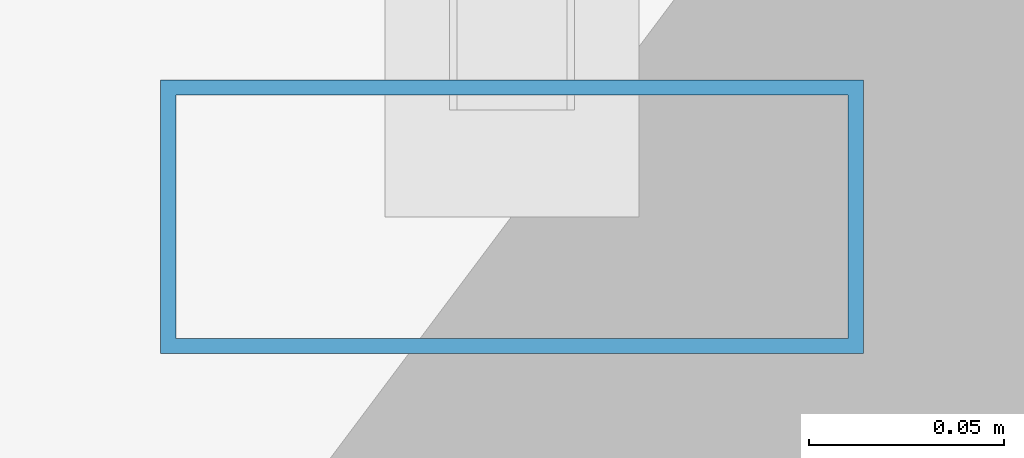
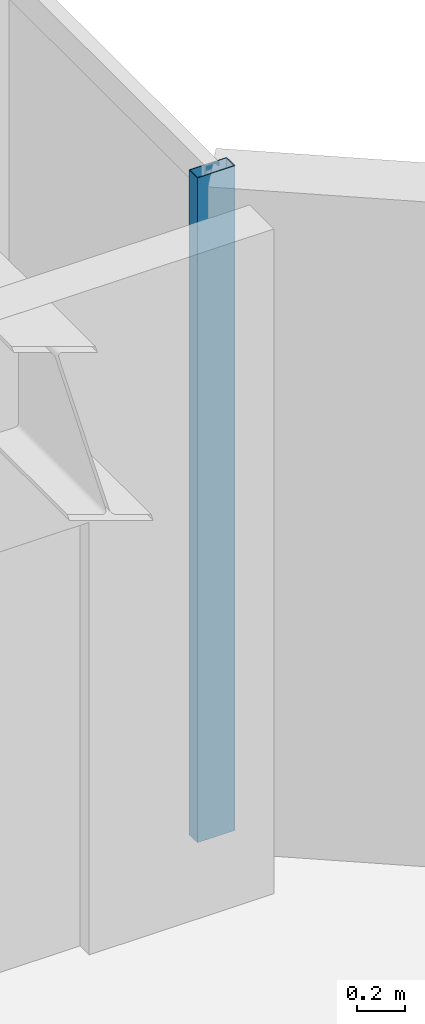
# One storey, part 10 of 24: 1 member, 1 element without a shape of its own.
"""IFC4 building model written with IfcOpenShell, lengths in metres."""

from ifc_helpers import new_model, si_unit, direction, frame, origin, origin_2d, place, context, subcontext, project, spatial, hollow_rectangle, extrude, material, layer, layer_set, material_profile, profile_set, type_object, element, aggregate, save


model = new_model("IFC4")

# Units and contexts
model_context = context("Model", 3, precision=1e-05, world=origin(), true_north=direction((0.0, 1.0)))
body_context = subcontext(model_context, "Body", "Model", "MODEL_VIEW")
ifc_project = project(units=[si_unit("LENGTHUNIT", "METRE"), si_unit("AREAUNIT", "SQUARE_METRE"), si_unit("VOLUMEUNIT", "CUBIC_METRE"), si_unit("PLANEANGLEUNIT", "RADIAN"), si_unit("MASSUNIT", "GRAM", prefix="KILO")], contexts=[model_context])

# Site, building, storey
site_placement = place(None, origin())
site = spatial("IfcSite", under=ifc_project, at=site_placement, CompositionType="ELEMENT")
building_placement = place(site_placement, origin())
building = spatial("IfcBuilding", under=site, at=building_placement, Name="Hatsunagi Terrace Concourse", CompositionType="ELEMENT")
storey_placement = place(building_placement, frame((0.0, 0.0, 213.14990234375)))
storey = spatial("IfcBuildingStorey", under=building, at=storey_placement, Name="L56", CompositionType="ELEMENT", Elevation=213.14990234375)

# Curtain wall, member
ifc_material_1 = material(Name="Anodised Aluminium Alloy 6063-T5", Category="aluminium")
ifc_layer = layer(ifc_material_1, 0.199951171875)
ifc_layer_set = layer_set([ifc_layer], Name="OfficeZone2_CW04")
curtain_wall_type = type_object("IfcCurtainWallType", Name="OfficeZone2_CW04", PredefinedType="NOTDEFINED", material=ifc_layer_set)
curtain_wall_placement = place(storey_placement, origin())
curtain_wall = element("IfcCurtainWall", 1, at=curtain_wall_placement, inside=storey, type_object=curtain_wall_type, Name="Unitised Curtain Wall CW-04 CW-L56-12", PredefinedType="NOTDEFINED")
ifc_material_2 = material(Name="Anodised Aluminium Alloy 6063-T5", Category="aluminium")
ifc_material_profile = material_profile(ifc_material_2, hollow_rectangle(XDim=0.070068359375, YDim=0.179931640625, WallThickness=0.00390625, at=origin_2d()), Name="ALU-MUL-180x70x4")
ifc_profile_set = profile_set([ifc_material_profile], Name="Anodised Aluminium Alloy 6063-T5")
member_type = type_object("IfcMemberType", Name="CurtainWallMullion_180x70", PredefinedType="MULLION", material=ifc_profile_set)
member_placement = place(storey_placement, frame((44.860107421875, 40.72998046875, 0.0), z_axis=(0.0, 0.0, 1.0), x_axis=(0.0, -1.0, 0.0)))
member = element("IfcMember", 2, at=member_placement, type_object=member_type, Name="Curtain Wall Mullion MUL-02", PredefinedType="MULLION", context=body_context, shape_type="SweptSolid", body=[
    extrude(hollow_rectangle(XDim=0.070068359375, YDim=0.179931640625, WallThickness=0.00390625, at=origin_2d()), origin(), (0.0, 0.0, 1.0), 3.35009765625),
])
aggregate(curtain_wall, [member])

save(model, "model.ifc")
